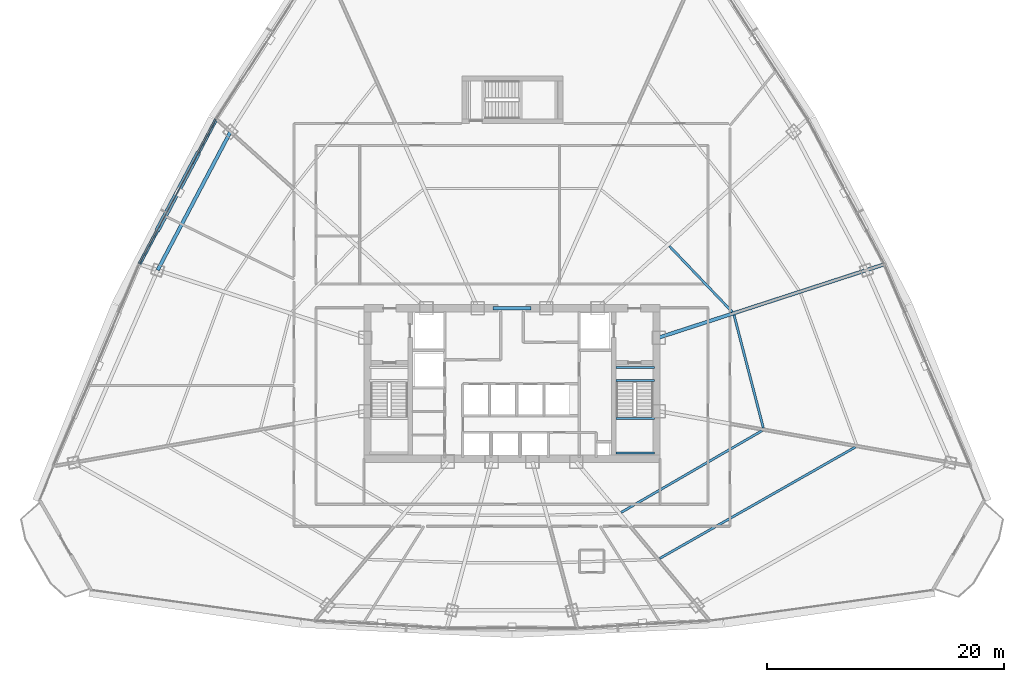
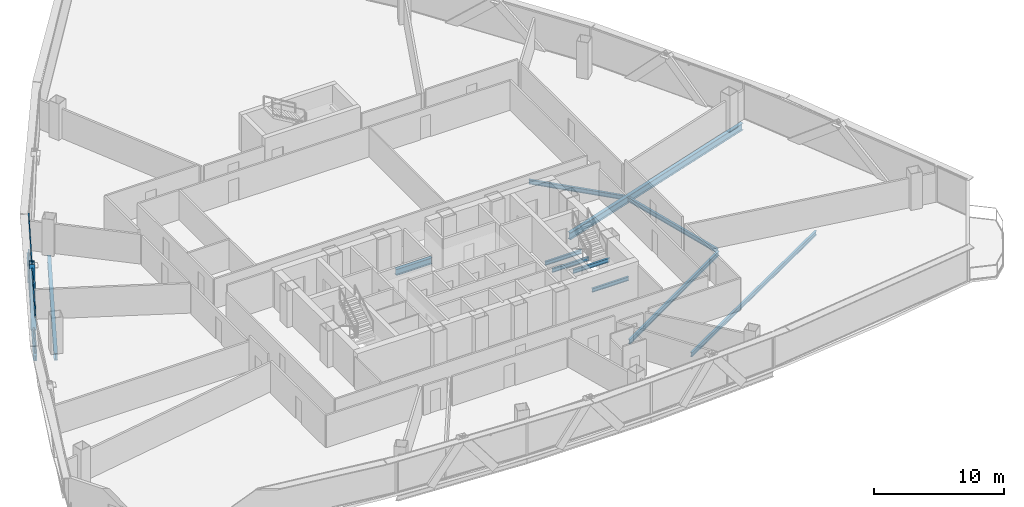
# One storey, part 15 of 39: 12 beams, 4 members, 1 element without a shape of its own.
"""IFC4 building model written with IfcOpenShell, lengths in metres."""

from ifc_helpers import new_model, si_unit, direction, frame, origin, origin_2d, place, context, subcontext, project, spatial, hollow_rectangle, i_section, extrude, source, transform, mapped, material, layer, layer_set, material_profile, profile_set, type_object, element, aggregate, save


model = new_model("IFC4")

# Units and contexts
model_context = context("Model", 3, precision=1e-05, world=origin(), true_north=direction((0.0, 1.0)))
body_context = subcontext(model_context, "Body", "Model", "MODEL_VIEW")
ifc_project = project(units=[si_unit("LENGTHUNIT", "METRE"), si_unit("AREAUNIT", "SQUARE_METRE"), si_unit("VOLUMEUNIT", "CUBIC_METRE"), si_unit("PLANEANGLEUNIT", "RADIAN"), si_unit("MASSUNIT", "GRAM", prefix="KILO"), si_unit("THERMODYNAMICTEMPERATUREUNIT", "KELVIN"), si_unit("POWERUNIT", "WATT")], contexts=[model_context])

# Site, building, storey
site_placement = place(None, origin())
site = spatial("IfcSite", under=ifc_project, at=site_placement, CompositionType="ELEMENT")
building_placement = place(site_placement, origin())
building = spatial("IfcBuilding", under=site, at=building_placement, Name="Yunzhuo Pagoda Commons", CompositionType="ELEMENT")
storey_placement = place(building_placement, frame((0.0, 0.0, 148.22998046875)))
storey = spatial("IfcBuildingStorey", under=building, at=storey_placement, Name="L37", CompositionType="ELEMENT", Elevation=148.22998046875)

# Beams
ifc_material_1 = material(Name="Structural steel Q355B", Category="steel")
ifc_material_profile_1 = material_profile(ifc_material_1, i_section(OverallWidth=0.175048828125, OverallDepth=0.35009765625, WebThickness=0.007080078125, FlangeThickness=0.010986328125, at=origin_2d()), Name="Structural steel Q355B")
ifc_profile_set_1 = profile_set([ifc_material_profile_1], Name="Structural steel Q355B")
beam_type_1 = type_object("IfcBeamType", Name="B-JS2 Joist HN 350x175x7x11", PredefinedType="JOIST", material=ifc_profile_set_1)
shared_shape_1 = source(origin(), body_context, "Body", "SweptSolid", [
    extrude(i_section(OverallWidth=0.175048828125, OverallDepth=0.35009765625, WebThickness=0.007080078125, FlangeThickness=0.010986328125, at=origin_2d()), origin(), (0.0, 0.0, 1.0), 3.25),
])
for number, where, z_axis, x_axis, name in (
    (1, (56.800048828125, 28.0, 1.465087890625), (1.0, 0.0, 0.0), (0.0, 1.0, 0.0), "L37 ST2 landing support beam 43A"),
    (2, (56.800048828125, 30.89990234375, 1.465087890625), (1.0, 0.0, 0.0), (0.0, 1.0, 0.0), "L37 ST2 landing support beam 43B"),
    (3, (56.800048828125, 34.10009765625, -0.374755859375), (1.0, 0.0, 0.0), (0.0, 1.0, 0.0), "L37 ST2 landing support beam 141A"),
    (4, (56.800048828125, 35.199951171875, -0.374755859375), (1.0, 0.0, 0.0), (0.0, 1.0, 0.0), "L37 ST2 landing support beam 141B"),
):
    element("IfcBeam", number, at=place(storey_placement, frame(where, z_axis=z_axis, x_axis=x_axis)), inside=storey, type_object=beam_type_1, Name=name, PredefinedType="JOIST", context=body_context, shape_type="MappedRepresentation", body=[
        mapped(shared_shape_1, transform((0.0, 0.0, 0.0), scale=1.0)),
    ])
ifc_material_2 = material(Name="Structural steel Q420B", Category="steel")
ifc_material_profile_2 = material_profile(ifc_material_2, i_section(OverallWidth=0.300048828125, OverallDepth=0.587890625, WebThickness=0.011962890625, FlangeThickness=0.02001953125, at=origin_2d()), Name="Structural steel Q420B")
ifc_profile_set_2 = profile_set([ifc_material_profile_2], Name="Structural steel Q420B")
beam_type_2 = type_object("IfcBeamType", Name="B-CPL Beam HM 588x300x12x20", PredefinedType="BEAM", material=ifc_profile_set_2)
shared_shape_2 = source(origin(), body_context, "Body", "SweptSolid", [
    extrude(i_section(OverallWidth=0.300048828125, OverallDepth=0.587890625, WebThickness=0.011962890625, FlangeThickness=0.02001953125, at=origin_2d()), origin(), (0.0, 0.0, 1.0), 3.2001953125),
])
beam_1_placement = place(storey_placement, frame((46.39990234375, 40.199951171875, -0.553955078125), z_axis=(1.0, 0.0, 0.0), x_axis=(0.0, 1.0, 0.0)))
element("IfcBeam", 5, at=beam_1_placement, inside=storey, type_object=beam_type_2, Name="L37 core coupling girder", PredefinedType="BEAM", context=body_context, shape_type="MappedRepresentation", body=[
    mapped(shared_shape_2, transform((0.0, 0.0, 0.0), scale=1.0)),
])
ifc_material_profile_3 = material_profile(ifc_material_1, i_section(OverallWidth=0.199951171875, OverallDepth=0.39990234375, WebThickness=0.008056640625, FlangeThickness=0.012939453125, at=origin_2d()), Name="Structural steel Q355B")
ifc_profile_set_3 = profile_set([ifc_material_profile_3], Name="Structural steel Q355B")
beam_type_3 = type_object("IfcBeamType", Name="B-JS1 Joist HN 400x200x8x13", PredefinedType="JOIST", material=ifc_profile_set_3)
shared_shape_3 = source(origin(), body_context, "Body", "SweptSolid", [
    extrude(i_section(OverallWidth=0.199951171875, OverallDepth=0.39990234375, WebThickness=0.008056640625, FlangeThickness=0.012939453125, at=origin_2d()), origin(), (0.0, 0.0, 1.0), 13.76416015625),
])
beam_2_placement = place(storey_placement, frame((57.2119140625, 22.96533203125, -0.459716796875), z_axis=(0.864967288101, 0.501828248025, 0.0), x_axis=(-0.501828248025, 0.864967288101, 0.0)))
element("IfcBeam", 6, at=beam_2_placement, inside=storey, type_object=beam_type_3, Name="L37 composite ring joist 1.4", PredefinedType="JOIST", context=body_context, shape_type="MappedRepresentation", body=[
    mapped(shared_shape_3, transform((0.0, 0.0, 0.0), scale=1.0)),
])
shared_shape_4 = source(origin(), body_context, "Body", "SweptSolid", [
    extrude(i_section(OverallWidth=0.199951171875, OverallDepth=0.39990234375, WebThickness=0.008056640625, FlangeThickness=0.012939453125, at=origin_2d()), origin(), (0.0, 0.0, 1.0), 19.007568359375),
])
beam_3_placement = place(storey_placement, frame((60.468017578125, 19.08447265625, -0.459716796875), z_axis=(0.869119947472, 0.494601371718, 0.0), x_axis=(-0.494601371718, 0.869119947472, 0.0)))
element("IfcBeam", 7, at=beam_3_placement, inside=storey, type_object=beam_type_3, Name="L37 composite ring joist 2.4", PredefinedType="JOIST", context=body_context, shape_type="MappedRepresentation", body=[
    mapped(shared_shape_4, transform((0.0, 0.0, 0.0), scale=1.0)),
])
shared_shape_5 = source(origin(), body_context, "Body", "SweptSolid", [
    extrude(i_section(OverallWidth=0.199951171875, OverallDepth=0.39990234375, WebThickness=0.008056640625, FlangeThickness=0.012939453125, at=origin_2d()), origin(), (0.0, 0.0, 1.0), 9.8330078125),
])
beam_4_placement = place(storey_placement, frame((69.215087890625, 30.10595703125, -0.459716796875), z_axis=(-0.251166367041, 0.967943932295, 0.0), x_axis=(-0.967943932295, -0.251166367041, 0.0)))
element("IfcBeam", 8, at=beam_4_placement, inside=storey, type_object=beam_type_3, Name="L37 composite ring joist 1.5", PredefinedType="JOIST", context=body_context, shape_type="MappedRepresentation", body=[
    mapped(shared_shape_5, transform((0.0, 0.0, 0.0), scale=1.0)),
])
ifc_material_profile_4 = material_profile(ifc_material_1, i_section(OverallWidth=0.300048828125, OverallDepth=0.64990234375, WebThickness=0.012939453125, FlangeThickness=0.02197265625, at=origin_2d()), Name="Structural steel Q355B")
ifc_profile_set_4 = profile_set([ifc_material_profile_4], Name="Structural steel Q355B")
beam_type_4 = type_object("IfcBeamType", Name="B-RG2 Beam HN 650x300x13x22", PredefinedType="BEAM", material=ifc_profile_set_4)
shared_shape_6 = source(origin(), body_context, "Body", "SweptSolid", [
    extrude(i_section(OverallWidth=0.300048828125, OverallDepth=0.64990234375, WebThickness=0.012939453125, FlangeThickness=0.02197265625, at=origin_2d()), origin(), (0.0, 0.0, 1.0), 13.198974609375),
])
beam_5_placement = place(storey_placement, frame((24.23388671875, 55.09912109375, -0.584716796875), z_axis=(-0.465885937554, -0.884844784801, 0.0), x_axis=(0.884844784801, -0.465885937554, 0.0)))
element("IfcBeam", 9, at=beam_5_placement, inside=storey, type_object=beam_type_4, Name="L37 column-ring beam 10", PredefinedType="BEAM", context=body_context, shape_type="MappedRepresentation", body=[
    mapped(shared_shape_6, transform((0.0, 0.0, 0.0), scale=1.0)),
])
shared_shape_7 = source(origin(), body_context, "Body", "SweptSolid", [
    extrude(i_section(OverallWidth=0.199951171875, OverallDepth=0.39990234375, WebThickness=0.008056640625, FlangeThickness=0.012939453125, at=origin_2d()), origin(), (0.0, 0.0, 1.0), 7.685546875),
])
beam_6_placement = place(storey_placement, frame((66.595703125, 39.892578125, -0.459716796875), z_axis=(-0.690882862648, 0.722966714378, 0.0), x_axis=(-0.722966714378, -0.690882862648, 0.0)))
element("IfcBeam", 10, at=beam_6_placement, inside=storey, type_object=beam_type_3, Name="L37 composite ring joist 1.6", PredefinedType="JOIST", context=body_context, shape_type="MappedRepresentation", body=[
    mapped(shared_shape_7, transform((0.0, 0.0, 0.0), scale=1.0)),
])
shared_shape_8 = source(origin(), body_context, "Body", "SweptSolid", [
    extrude(i_section(OverallWidth=0.300048828125, OverallDepth=0.64990234375, WebThickness=0.012939453125, FlangeThickness=0.02197265625, at=origin_2d()), origin(), (0.0, 0.0, 1.0), 19.877197265625),
])
beam_7_placement = place(storey_placement, frame((79.30419921875, 43.871337890625, -0.584716796875), z_axis=(-0.951057172971, -0.309014973328, 0.0), x_axis=(0.309014973328, -0.951057172971, 0.0)))
element("IfcBeam", 11, at=beam_7_placement, inside=storey, type_object=beam_type_4, Name="L37 radial floor girder F2C2", PredefinedType="BEAM", context=body_context, shape_type="MappedRepresentation", body=[
    mapped(shared_shape_8, transform((0.0, 0.0, 0.0), scale=1.0)),
])
ifc_material_profile_5 = material_profile(ifc_material_1, i_section(OverallWidth=0.300048828125, OverallDepth=0.488037109375, WebThickness=0.010986328125, FlangeThickness=0.01806640625, at=origin_2d()), Name="Structural steel Q355B")
ifc_profile_set_5 = profile_set([ifc_material_profile_5], Name="Structural steel Q355B")
beam_type_5 = type_object("IfcBeamType", Name="B-SP1 Beam HM 488x300x11x18", PredefinedType="BEAM", material=ifc_profile_set_5)
shared_shape_9 = source(origin(), body_context, "Body", "SweptSolid", [
    extrude(i_section(OverallWidth=0.300048828125, OverallDepth=0.488037109375, WebThickness=0.010986328125, FlangeThickness=0.01806640625, at=origin_2d()), origin(), (0.0, 0.0, 1.0), 13.869384765625),
])
beam_8_placement = place(storey_placement, frame((23.035400390625, 56.17822265625, -0.50390625), z_axis=(-0.467725147868, -0.883873965027, 0.0), x_axis=(0.883873965027, -0.467725147868, 0.0)))
element("IfcBeam", 12, at=beam_8_placement, inside=storey, type_object=beam_type_5, Name="L37 facade edge spandrel beam F3.2", PredefinedType="BEAM", context=body_context, shape_type="MappedRepresentation", body=[
    mapped(shared_shape_9, transform((0.0, 0.0, 0.0), scale=1.0)),
])

# Members
ifc_material_profile_6 = material_profile(ifc_material_2, hollow_rectangle(XDim=0.419921875, YDim=0.719970703125, WallThickness=0.028076171875, at=origin_2d()), Name="Structural steel Q420B")
ifc_profile_set_6 = profile_set([ifc_material_profile_6], Name="Structural steel Q420B")
member_type_1 = type_object("IfcMemberType", Name="M-DL1 Brace BOX 720x420x28", PredefinedType="BRACE", material=ifc_profile_set_6)
shared_shape_10 = source(origin(), body_context, "Body", "SweptSolid", [
    extrude(hollow_rectangle(XDim=0.419921875, YDim=0.719970703125, WallThickness=0.028076171875, at=origin_2d()), origin(), (0.0, 0.0, 1.0), 5.05615234375),
])
member_1_placement = place(storey_placement, frame((21.41357421875, 53.113525390625, -0.260009765625), z_axis=(-0.320763482228, -0.606133372333, 0.727813934611), x_axis=(0.883866687787, -0.467738899623, 0.0)))
element("IfcMember", 13, at=member_1_placement, inside=storey, type_object=member_type_1, Name="L37 facade diamond brace F3.2L", PredefinedType="BRACE", context=body_context, shape_type="MappedRepresentation", body=[
    mapped(shared_shape_10, transform((0.0, 0.0, 0.0), scale=1.0)),
])
shared_shape_11 = source(origin(), body_context, "Body", "SweptSolid", [
    extrude(hollow_rectangle(XDim=0.419921875, YDim=0.719970703125, WallThickness=0.028076171875, at=origin_2d()), origin(), (0.0, 0.0, 1.0), 5.056396484375),
])
member_2_placement = place(storey_placement, frame((18.169921875, 46.98388671875, -0.260009765625), z_axis=(0.320754094251, 0.606163916788, 0.727792633245), x_axis=(-0.8838820908, 0.467709792033, 0.0)))
element("IfcMember", 14, at=member_2_placement, inside=storey, type_object=member_type_1, Name="L37 facade diamond brace F3.2R", PredefinedType="BRACE", context=body_context, shape_type="MappedRepresentation", body=[
    mapped(shared_shape_11, transform((0.0, 0.0, 0.0), scale=1.0)),
])

# Curtain wall, members
ifc_material_3 = material(Name="Anodized aluminium 6063-T6", Category="aluminium")
ifc_layer = layer(ifc_material_3, 0.14990234375)
ifc_layer_set = layer_set([ifc_layer], Name="Anodized aluminium 6063-T6")
curtain_wall_type = type_object("IfcCurtainWallType", Name="CW-MID Mid-Zone Ribbon Curtain Wall", PredefinedType="NOTDEFINED", material=ifc_layer_set)
curtain_wall_placement = place(storey_placement, origin())
curtain_wall = element("IfcCurtainWall", 15, at=curtain_wall_placement, inside=storey, type_object=curtain_wall_type, Name="L37 curtain wall CW-L37-F3B3", PredefinedType="NOTDEFINED")
ifc_material_profile_7 = material_profile(ifc_material_3, hollow_rectangle(XDim=0.054931640625, YDim=0.1298828125, WallThickness=0.00341796875, at=origin_2d()), Name="Anodized aluminium 6063-T6")
ifc_profile_set_7 = profile_set([ifc_material_profile_7], Name="Anodized aluminium 6063-T6")
member_type_2 = type_object("IfcMemberType", Name="CW-MID-T Transom RHS 130x55x3.5", PredefinedType="USERDEFINED", material=ifc_profile_set_7)
shared_shape_12 = source(origin(), body_context, "Body", "SweptSolid", [
    extrude(hollow_rectangle(XDim=0.054931640625, YDim=0.1298828125, WallThickness=0.00341796875, at=origin_2d()), origin(), (0.0, 0.0, 1.0), 13.74951171875),
])
member_3_placement = place(storey_placement, frame((23.00732421875, 56.125244140625, 0.027587890625), z_axis=(-0.467720466259, -0.883876442407, 0.0), x_axis=(0.883876442407, -0.467720466259, 0.0)))
member_3 = element("IfcMember", 16, at=member_3_placement, type_object=member_type_2, Name="CW transom 1.1", ObjectType="TRANSOM", PredefinedType="USERDEFINED", context=body_context, shape_type="MappedRepresentation", body=[
    mapped(shared_shape_12, transform((0.0, 0.0, 0.0), scale=1.0)),
])
member_4_placement = place(storey_placement, frame((23.00732421875, 56.125244140625, 3.392578125), z_axis=(-0.467720466259, -0.883876442407, 0.0), x_axis=(0.883876442407, -0.467720466259, 0.0)))
member_4 = element("IfcMember", 17, at=member_4_placement, type_object=member_type_2, Name="CW transom 1.2", ObjectType="TRANSOM", PredefinedType="USERDEFINED", context=body_context, shape_type="MappedRepresentation", body=[
    mapped(shared_shape_12, transform((0.0, 0.0, 0.0), scale=1.0)),
])
aggregate(curtain_wall, [member_3, member_4])

save(model, "model.ifc")
